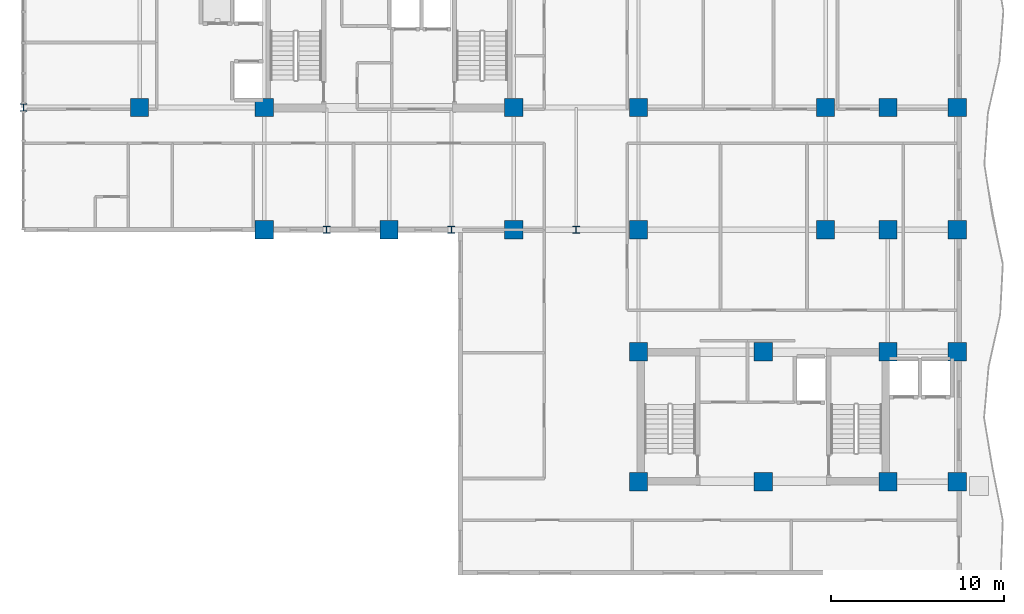
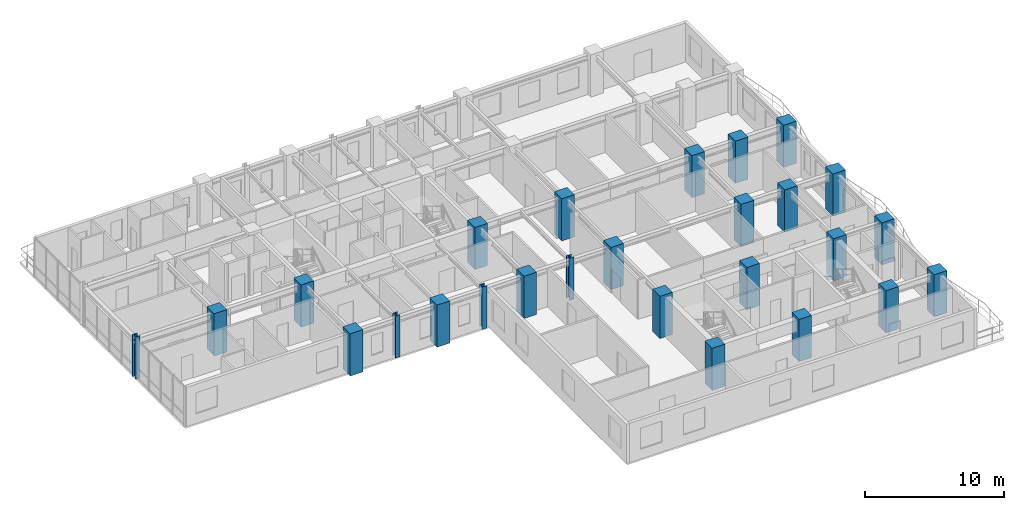
# One storey, part 1 of 20: 26 columns.
"""IFC4 building model written with IfcOpenShell, lengths in metres."""

from ifc_helpers import new_model, si_unit, direction, frame, origin, origin_2d, place, context, subcontext, project, spatial, rectangle, i_section, extrude, source, transform, mapped, material, material_profile, profile_set, type_object, element, save


model = new_model("IFC4")

# Units and contexts
model_context = context("Model", 3, precision=1e-05, world=origin(), true_north=direction((0.0, 1.0)))
body_context = subcontext(model_context, "Body", "Model", "MODEL_VIEW")
ifc_project = project(units=[si_unit("LENGTHUNIT", "METRE"), si_unit("AREAUNIT", "SQUARE_METRE"), si_unit("VOLUMEUNIT", "CUBIC_METRE"), si_unit("PLANEANGLEUNIT", "RADIAN"), si_unit("MASSUNIT", "GRAM", prefix="KILO")], contexts=[model_context])

# Site, building, storey
site_placement = place(None, origin())
site = spatial("IfcSite", under=ifc_project, at=site_placement, CompositionType="ELEMENT")
building_placement = place(site_placement, origin())
building = spatial("IfcBuilding", under=site, at=building_placement, Name="Kaliganga Portal Commons", CompositionType="ELEMENT")
storey_placement = place(building_placement, frame((0.0, 0.0, 155.0)))
storey = spatial("IfcBuildingStorey", under=building, at=storey_placement, Name="L39", CompositionType="ELEMENT", Elevation=155.0)

# Columns
ifc_material_1 = material(Name="Concrete C60/75", Category="concrete")
ifc_material_profile_1 = material_profile(ifc_material_1, rectangle(XDim=1.050048828125, YDim=1.050048828125, at=origin_2d()), Name="RC 1050x1050")
ifc_profile_set_1 = profile_set([ifc_material_profile_1], Name="Concrete C60/75")
column_type_1 = type_object("IfcColumnType", Name="COL-MEGA-Z3", PredefinedType="COLUMN", material=ifc_profile_set_1)
shared_shape_1 = source(origin(), body_context, "Body", "SweptSolid", [
    extrude(rectangle(XDim=1.050048828125, YDim=1.050048828125, at=origin_2d()), origin(), (0.0, 0.0, 1.0), 3.699951171875),
])
for number, where, z_axis, x_axis, name in (
    (1, (7.199951171875, 28.64990234375, 0.0), (0.0, 0.0, 1.0), (1.0, 0.0, 0.0), "Column MC-04 L39"),
    (2, (14.39990234375, 21.60009765625, 0.0), (0.0, 0.0, 1.0), (1.0, 0.0, 0.0), "Column MC-04 L39"),
    (3, (14.39990234375, 28.64990234375, 0.0), (0.0, 0.0, 1.0), (1.0, 0.0, 0.0), "Column MC-04 L39"),
    (4, (21.60009765625, 21.60009765625, 0.0), (0.0, 0.0, 1.0), (1.0, 0.0, 0.0), "Column MC-04 L39"),
    (5, (28.800048828125, 21.60009765625, 0.0), (0.0, 0.0, 1.0), (1.0, 0.0, 0.0), "Column MC-04 L39"),
    (6, (28.800048828125, 28.64990234375, 0.0), (0.0, 0.0, 1.0), (1.0, 0.0, 0.0), "Column MC-04 L39"),
    (7, (36.0, 21.60009765625, 0.0), (0.0, 0.0, 1.0), (1.0, 0.0, 0.0), "Column MC-04 L39"),
    (8, (36.0, 28.64990234375, 0.0), (0.0, 0.0, 1.0), (1.0, 0.0, 0.0), "Column MC-04 L39"),
    (9, (46.800048828125, 21.60009765625, 0.0), (0.0, 0.0, 1.0), (1.0, 0.0, 0.0), "Column MC-04 L39"),
    (10, (46.800048828125, 28.64990234375, 0.0), (0.0, 0.0, 1.0), (1.0, 0.0, 0.0), "Column MC-04 L39"),
    (11, (36.0, 7.050048828125, 0.0), (0.0, 0.0, 1.0), (1.0, 0.0, 0.0), "Column MC-04 L39"),
    (12, (36.0, 14.550048828125, 0.0), (0.0, 0.0, 1.0), (1.0, 0.0, 0.0), "Column MC-04 L39"),
    (13, (43.199951171875, 7.050048828125, 0.0), (0.0, 0.0, 1.0), (1.0, 0.0, 0.0), "Column MC-04 L39"),
    (14, (43.199951171875, 14.550048828125, 0.0), (0.0, 0.0, 1.0), (1.0, 0.0, 0.0), "Column MC-04 L39"),
    (15, (50.39990234375, 7.050048828125, 0.0), (0.0, 0.0, 1.0), (1.0, 0.0, 0.0), "Column MC-04 L39"),
    (16, (50.39990234375, 14.550048828125, 0.0), (0.0, 0.0, 1.0), (1.0, 0.0, 0.0), "Column MC-04 L39"),
    (17, (50.39990234375, 21.60009765625, 0.0), (0.0, 0.0, 1.0), (1.0, 0.0, 0.0), "Column MC-04 L39"),
    (18, (50.39990234375, 28.64990234375, 0.0), (0.0, 0.0, 1.0), (1.0, 0.0, 0.0), "Column MC-04 L39"),
    (19, (54.39990234375, 7.050048828125, 0.0), (0.0, 0.0, 1.0), (1.0, 0.0, 0.0), "Column MC-04 L39"),
    (20, (54.39990234375, 14.550048828125, 0.0), (0.0, 0.0, 1.0), (1.0, 0.0, 0.0), "Column MC-04 L39"),
    (21, (54.39990234375, 21.60009765625, 0.0), (0.0, 0.0, 1.0), (1.0, 0.0, 0.0), "Column MC-04 L39"),
    (22, (54.39990234375, 28.64990234375, 0.0), (0.0, 0.0, 1.0), (1.0, 0.0, 0.0), "Column MC-04 L39"),
):
    element("IfcColumn", number, at=place(storey_placement, frame(where, z_axis=z_axis, x_axis=x_axis)), inside=storey, type_object=column_type_1, Name=name, PredefinedType="COLUMN", context=body_context, shape_type="MappedRepresentation", body=[
        mapped(shared_shape_1, transform((0.0, 0.0, 0.0), x_axis=(1.0, 0.0, 0.0), y_axis=(0.0, 1.0, 0.0), z_axis=(0.0, 0.0, 1.0), scale=1.0)),
    ])
ifc_material_2 = material(Name="Structural steel S460M", Category="steel")
ifc_material_profile_2 = material_profile(ifc_material_2, i_section(OverallWidth=0.404052734375, OverallDepth=0.4140625, WebThickness=0.0205078125, FlangeThickness=0.028076171875, FilletRadius=0.014892578125, at=origin_2d()), Name="HD 400x347")
ifc_profile_set_2 = profile_set([ifc_material_profile_2], Name="Structural steel S460M wide-flange")
column_type_2 = type_object("IfcColumnType", Name="COL-TUBE-B3", PredefinedType="COLUMN", material=ifc_profile_set_2)
shared_shape_2 = source(origin(), body_context, "Body", "SweptSolid", [
    extrude(i_section(OverallWidth=0.404052734375, OverallDepth=0.4140625, WebThickness=0.0205078125, FlangeThickness=0.028076171875, FilletRadius=0.014892578125, at=origin_2d()), origin(), (0.0, 0.0, 1.0), 3.699951171875),
])
for number, where, z_axis, x_axis, name in (
    (23, (0.5, 28.64990234375, 0.0), (0.0, 0.0, 1.0), (1.0, 0.0, 0.0), "Column TC-03 L39"),
    (24, (18.0, 21.60009765625, 0.0), (0.0, 0.0, 1.0), (1.0, 0.0, 0.0), "Column TC-03 L39"),
    (25, (25.199951171875, 21.60009765625, 0.0), (0.0, 0.0, 1.0), (1.0, 0.0, 0.0), "Column TC-03 L39"),
    (26, (32.39990234375, 21.60009765625, 0.0), (0.0, 0.0, 1.0), (1.0, 0.0, 0.0), "Column TC-03 L39"),
):
    element("IfcColumn", number, at=place(storey_placement, frame(where, z_axis=z_axis, x_axis=x_axis)), inside=storey, type_object=column_type_2, Name=name, PredefinedType="COLUMN", context=body_context, shape_type="MappedRepresentation", body=[
        mapped(shared_shape_2, transform((0.0, 0.0, 0.0), x_axis=(1.0, 0.0, 0.0), y_axis=(0.0, 1.0, 0.0), z_axis=(0.0, 0.0, 1.0), scale=1.0)),
    ])

save(model, "model.ifc")
